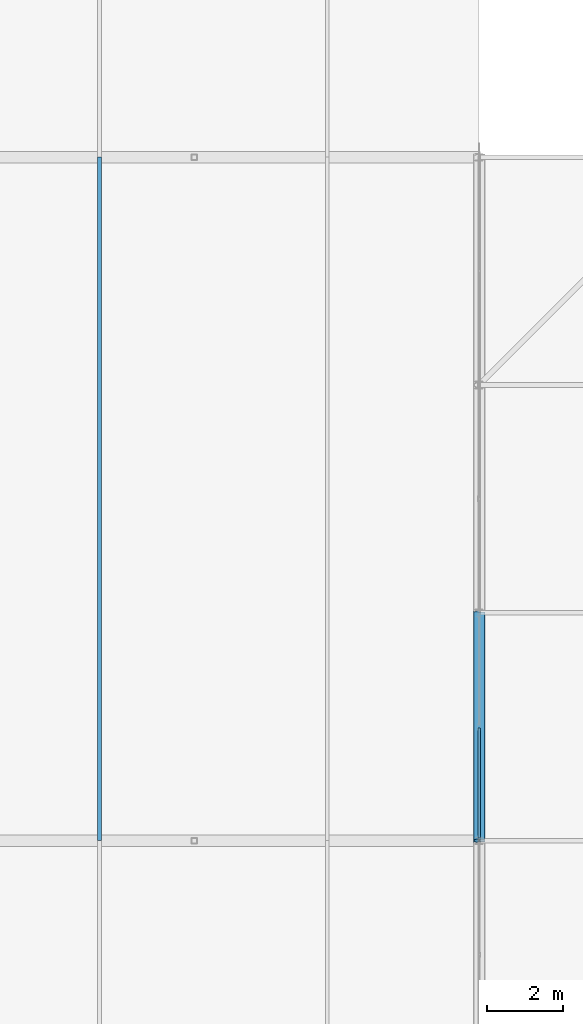
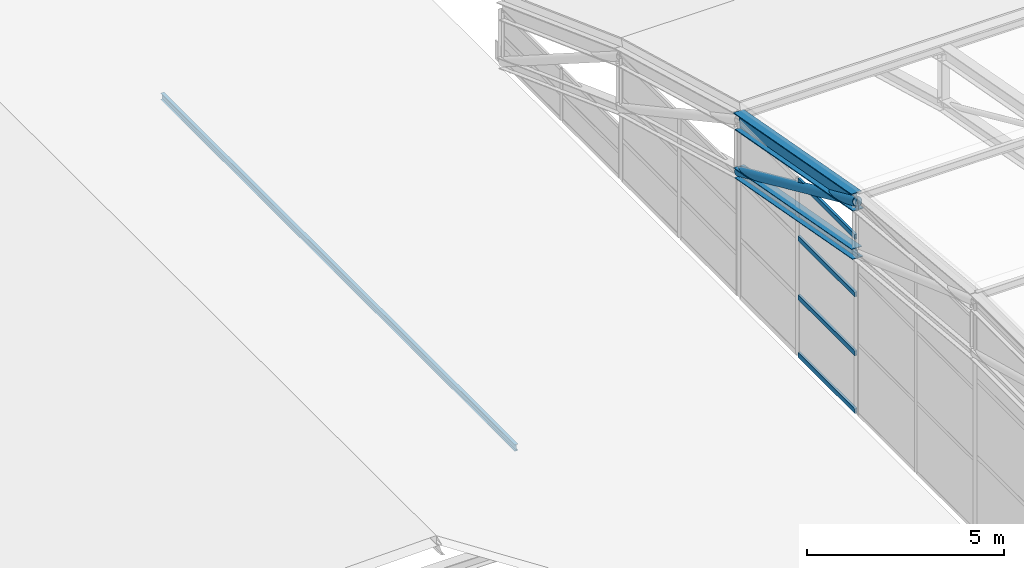
# One storey, part 34 of 204: 8 members, 1 element without a shape of its own.
"""IFC4 building model written with IfcOpenShell, lengths in metres."""

from ifc_helpers import new_model, si_unit, direction, frame, origin, origin_2d, place, context, subcontext, project, spatial, hollow_rectangle, hollow_circle, i_section, extrude, material, layer, layer_set, material_profile, profile_set, type_object, element, aggregate, save


model = new_model("IFC4")

# Units and contexts
model_context = context("Model", 3, precision=1e-05, world=origin(), true_north=direction((0.0, 1.0)))
body_context = subcontext(model_context, "Body", "Model", "MODEL_VIEW")
ifc_project = project(units=[si_unit("LENGTHUNIT", "METRE"), si_unit("AREAUNIT", "SQUARE_METRE"), si_unit("VOLUMEUNIT", "CUBIC_METRE"), si_unit("PLANEANGLEUNIT", "RADIAN"), si_unit("MASSUNIT", "GRAM", prefix="KILO")], contexts=[model_context])

# Site, building, storey
site_placement = place(None, origin())
site = spatial("IfcSite", under=ifc_project, at=site_placement, CompositionType="ELEMENT")
building_placement = place(site_placement, origin())
building = spatial("IfcBuilding", under=site, at=building_placement, Name="Zilviju Railside Exhibition Hall", CompositionType="ELEMENT")
storey_placement = place(building_placement, frame((0.0, 0.0, 21.0)))
storey = spatial("IfcBuildingStorey", under=building, at=storey_placement, Name="RF", CompositionType="ELEMENT", Elevation=21.0)

# Curtain wall, members
ifc_material_1 = material(Name="Thermally broken aluminium-steel triple-glazed curtain wall", Category="steel")
ifc_layer = layer(ifc_material_1, 0.179931640625)
ifc_layer_set = layer_set([ifc_layer], Name="Thermally broken aluminium-steel triple-glazed curtain wall")
curtain_wall_type = type_object("IfcCurtainWallType", Name="CW-BAY-15", PredefinedType="USERDEFINED", material=ifc_layer_set)
curtain_wall_placement = place(storey_placement, origin())
curtain_wall = element("IfcCurtainWall", 1, at=curtain_wall_placement, inside=storey, type_object=curtain_wall_type, Name="South Hall Arch Tympanum Glazing West P7", ObjectType="GLAZED CURTAIN WALL", PredefinedType="USERDEFINED")
ifc_material_2 = material(Name="Thermally broken anodized aluminium transom", Category="aluminium")
ifc_material_profile_1 = material_profile(ifc_material_2, hollow_rectangle(XDim=0.070068359375, YDim=0.14990234375, WallThickness=0.0048828125, at=origin_2d()), Name="TRANSOM 150x70x5")
ifc_profile_set_1 = profile_set([ifc_material_profile_1], Name="Thermally broken anodized aluminium transom")
member_type_1 = type_object("IfcMemberType", Name="CWT-70x150", PredefinedType="USERDEFINED", material=ifc_profile_set_1)
member_1_placement = place(storey_placement, frame((78.0, 36.070068359375, -7.764892578125), z_axis=(0.0, 1.0, 0.0), x_axis=(-1.0, 0.0, 0.0)))
member_1 = element("IfcMember", 2, at=member_1_placement, type_object=member_type_1, Name="CW-15 transom 1.1", ObjectType="TRANSOM", PredefinedType="USERDEFINED", context=body_context, shape_type="SweptSolid", body=[
    extrude(hollow_rectangle(XDim=0.070068359375, YDim=0.14990234375, WallThickness=0.0048828125, at=origin_2d()), origin(), (0.0, 0.0, 1.0), 2.89501953125),
])
member_2_placement = place(storey_placement, frame((78.0, 36.070068359375, -5.97607421875), z_axis=(0.0, 1.0, 0.0), x_axis=(-1.0, 0.0, 0.0)))
member_2 = element("IfcMember", 3, at=member_2_placement, type_object=member_type_1, Name="CW-15 transom 1.2", ObjectType="TRANSOM", PredefinedType="USERDEFINED", context=body_context, shape_type="SweptSolid", body=[
    extrude(hollow_rectangle(XDim=0.070068359375, YDim=0.14990234375, WallThickness=0.0048828125, at=origin_2d()), origin(), (0.0, 0.0, 1.0), 2.89501953125),
])
member_3_placement = place(storey_placement, frame((78.0, 36.070068359375, -4.152099609375), z_axis=(0.0, 1.0, 0.0), x_axis=(-1.0, 0.0, 0.0)))
member_3 = element("IfcMember", 4, at=member_3_placement, type_object=member_type_1, Name="CW-15 transom 1.3", ObjectType="TRANSOM", PredefinedType="USERDEFINED", context=body_context, shape_type="SweptSolid", body=[
    extrude(hollow_rectangle(XDim=0.070068359375, YDim=0.14990234375, WallThickness=0.0048828125, at=origin_2d()), origin(), (0.0, 0.0, 1.0), 2.89501953125),
])
member_4_placement = place(storey_placement, frame((78.0, 36.070068359375, -2.363037109375), z_axis=(0.0, 1.0, 0.0), x_axis=(-1.0, 0.0, 0.0)))
member_4 = element("IfcMember", 5, at=member_4_placement, type_object=member_type_1, Name="CW-15 transom 1.4", ObjectType="TRANSOM", PredefinedType="USERDEFINED", context=body_context, shape_type="SweptSolid", body=[
    extrude(hollow_rectangle(XDim=0.070068359375, YDim=0.14990234375, WallThickness=0.0048828125, at=origin_2d()), origin(), (0.0, 0.0, 1.0), 2.89501953125),
])
aggregate(curtain_wall, [member_1, member_2, member_3, member_4])

# Members
ifc_material_3 = material(Name="Steel S355ML", Category="steel")
ifc_material_profile_2 = material_profile(ifc_material_3, hollow_circle(Radius=0.136474609375, WallThickness=0.012451171875, at=origin_2d()), Name="CHS 273.0x12.5")
ifc_profile_set_2 = profile_set([ifc_material_profile_2], Name="Steel S355ML")
member_type_2 = type_object("IfcMemberType", Name="TR-BR-CHS273", PredefinedType="BRACE", material=ifc_profile_set_2)
member_5_placement = place(storey_placement, frame((78.0, 36.0, -1.22216796875), z_axis=(0.0, 0.911563042822, -0.411160332425), x_axis=(-1.0, 0.0, 0.0)))
element("IfcMember", 6, at=member_5_placement, inside=storey, type_object=member_type_2, Name="V1 Parabolic Arch Web Diagonal X=78.0 P7", PredefinedType="BRACE", context=body_context, shape_type="SweptSolid", body=[
    extrude(hollow_circle(Radius=0.136474609375, WallThickness=0.012451171875, at=origin_2d()), origin(), (0.0, 0.0, 1.0), 6.58203125),
])
ifc_material_profile_3 = material_profile(ifc_material_3, i_section(OverallWidth=0.300048828125, OverallDepth=0.300048828125, WebThickness=0.010986328125, FlangeThickness=0.01904296875, at=origin_2d()), Name="HEB 300")
ifc_profile_set_3 = profile_set([ifc_material_profile_3], Name="Steel S355ML")
member_type_3 = type_object("IfcMemberType", Name="TR-CH-HEB300", PredefinedType="CHORD", material=ifc_profile_set_3)
member_6_placement = place(storey_placement, frame((78.0, 36.0, -2.822265625), z_axis=(0.0, 0.98342578549, -0.18131112606), x_axis=(-1.0, 0.0, 0.0)))
element("IfcMember", 7, at=member_6_placement, inside=storey, type_object=member_type_3, Name="V1 Parabolic Arch Bottom Chord X=78.0 P7", PredefinedType="CHORD", context=body_context, shape_type="SweptSolid", body=[
    extrude(i_section(OverallWidth=0.300048828125, OverallDepth=0.300048828125, WebThickness=0.010986328125, FlangeThickness=0.01904296875, at=origin_2d()), origin(), (0.0, 0.0, 1.0), 6.10107421875),
])
ifc_material_profile_4 = material_profile(ifc_material_3, i_section(OverallWidth=0.300048828125, OverallDepth=0.5, WebThickness=0.014404296875, FlangeThickness=0.028076171875, at=origin_2d()), Name="HEB 500")
ifc_profile_set_4 = profile_set([ifc_material_profile_4], Name="Steel S355ML")
member_type_4 = type_object("IfcMemberType", Name="TR-CH-HEB500-ML", PredefinedType="CHORD", material=ifc_profile_set_4)
member_7_placement = place(storey_placement, frame((78.0, 36.0, -1.22216796875), z_axis=(0.0, 0.98342578549, -0.18131112606), x_axis=(-1.0, 0.0, 0.0)))
element("IfcMember", 8, at=member_7_placement, inside=storey, type_object=member_type_4, Name="V1 Parabolic Arch Top Chord X=78.0 P7", PredefinedType="CHORD", context=body_context, shape_type="SweptSolid", body=[
    extrude(i_section(OverallWidth=0.300048828125, OverallDepth=0.5, WebThickness=0.014404296875, FlangeThickness=0.028076171875, at=origin_2d()), origin(), (0.0, 0.0, 1.0), 6.10107421875),
])
ifc_material_4 = material(Name="Steel S355J2", Category="steel")
ifc_material_profile_5 = material_profile(ifc_material_4, i_section(OverallWidth=0.10009765625, OverallDepth=0.199951171875, WebThickness=0.005615234375, FlangeThickness=0.008544921875, at=origin_2d()), Name="IPE 200")
ifc_profile_set_5 = profile_set([ifc_material_profile_5], Name="Steel S355J2")
member_type_5 = type_object("IfcMemberType", Name="TR-PUR-IPE200", PredefinedType="PURLIN", material=ifc_profile_set_5)
member_8_placement = place(storey_placement, frame((68.0, 36.0, -5.360107421875), z_axis=(0.0, 1.0, 0.0), x_axis=(-1.0, 0.0, 0.0)))
element("IfcMember", 9, at=member_8_placement, inside=storey, type_object=member_type_5, Name="Concourse Lantern Purlin X=68.0", PredefinedType="PURLIN", context=body_context, shape_type="SweptSolid", body=[
    extrude(i_section(OverallWidth=0.10009765625, OverallDepth=0.199951171875, WebThickness=0.005615234375, FlangeThickness=0.008544921875, at=origin_2d()), origin(), (0.0, 0.0, 1.0), 18.0),
])

save(model, "model.ifc")
